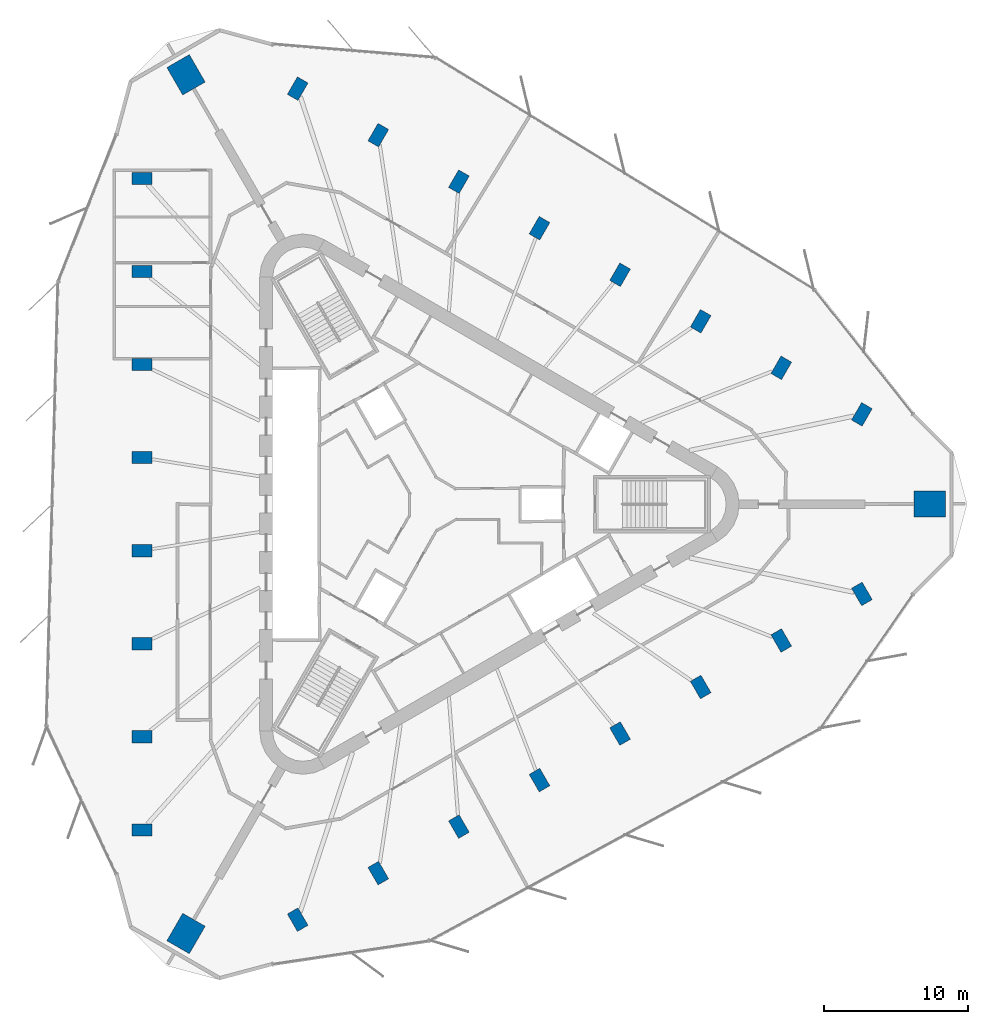
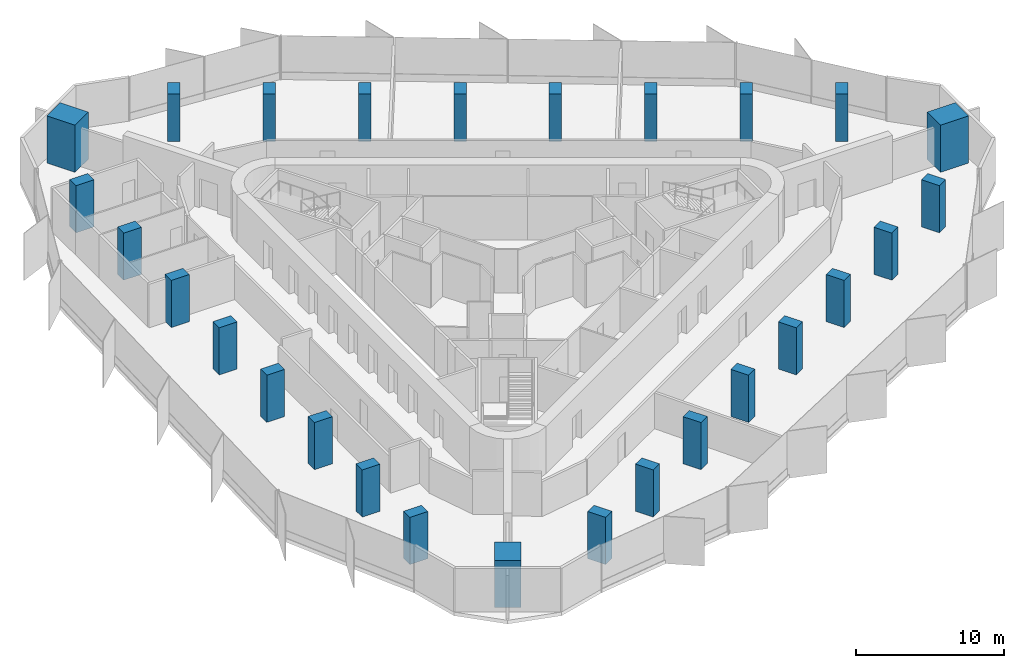
# One storey, part 1 of 13: 27 columns.
"""IFC4 building model written with IfcOpenShell, lengths in metres."""

from ifc_helpers import new_model, si_unit, direction, frame, origin, origin_2d, place, context, subcontext, project, spatial, rectangle, extrude, material, material_profile, profile_set, type_object, element, save


model = new_model("IFC4")

# Units and contexts
model_context = context("Model", 3, precision=1e-05, world=origin(), true_north=direction((0.0, 1.0)))
body_context = subcontext(model_context, "Body", "Model", "MODEL_VIEW")
ifc_project = project(units=[si_unit("LENGTHUNIT", "METRE"), si_unit("AREAUNIT", "SQUARE_METRE"), si_unit("VOLUMEUNIT", "CUBIC_METRE"), si_unit("PLANEANGLEUNIT", "RADIAN"), si_unit("MASSUNIT", "GRAM", prefix="KILO")], contexts=[model_context])

# Site, building, storey
site_placement = place(None, origin())
site = spatial("IfcSite", under=ifc_project, at=site_placement, CompositionType="ELEMENT")
building_placement = place(site_placement, origin())
building = spatial("IfcBuilding", under=site, at=building_placement, Name="Tanit Gate Tower", CompositionType="ELEMENT")
storey_placement = place(building_placement, frame((0.0, 0.0, 329.89990234375)))
storey = spatial("IfcBuildingStorey", under=building, at=storey_placement, Name="L74", CompositionType="ELEMENT", Elevation=329.89990234375)

# Columns
ifc_material_1 = material(Name="Concrete C50/60", Category="concrete")
ifc_material_profile_1 = material_profile(ifc_material_1, rectangle(XDim=2.199951171875, YDim=1.800048828125, at=origin_2d()), Name="RC 2200x1800")
ifc_profile_set_1 = profile_set([ifc_material_profile_1], Name="Concrete C50/60")
column_type_1 = type_object("IfcColumnType", Name="MEGA COLUMN 2200x1800 C50/60", PredefinedType="COLUMN", material=ifc_profile_set_1)
for number, where, z_axis, x_axis, name in (
    (1, (34.43505859375, 0.0, 0.0), (0.0, 0.0, 1.0), (1.0, 0.0, 0.0), "MEGA COLUMN"),
    (2, (-17.217529296875, 29.821533203125, 0.0), (0.0, 0.0, 1.0), (-0.5, 0.866025403784, 0.0), "MEGA COLUMN"),
    (3, (-17.217529296875, -29.821533203125, 0.0), (0.0, 0.0, 1.0), (-0.5, -0.866025403784, 0.0), "MEGA COLUMN"),
):
    element("IfcColumn", number, at=place(storey_placement, frame(where, z_axis=z_axis, x_axis=x_axis)), inside=storey, type_object=column_type_1, Name=name, PredefinedType="COLUMN", context=body_context, shape_type="SweptSolid", body=[
        extrude(rectangle(XDim=2.199951171875, YDim=1.800048828125, at=origin_2d()), origin(), (0.0, 0.0, 1.0), 3.900146484375),
    ])
ifc_material_2 = material(Name="Concrete C40/50", Category="concrete")
ifc_material_profile_2 = material_profile(ifc_material_2, rectangle(XDim=1.39990234375, YDim=0.85009765625, at=origin_2d()), Name="RC 1400x850")
ifc_profile_set_2 = profile_set([ifc_material_profile_2], Name="Concrete C40/50")
column_type_2 = type_object("IfcColumnType", Name="PERIMETER COLUMN 1400x850 C40/50", PredefinedType="COLUMN", material=ifc_profile_set_2)
for number, where, z_axis, x_axis, name in (
    (4, (-20.263671875, 22.62353515625, 0.0), (0.0, 0.0, 1.0), (-1.0, 0.0, 0.0), "PERIMETER COLUMN"),
    (5, (-20.263671875, 16.15966796875, 0.0), (0.0, 0.0, 1.0), (-1.0, 0.0, 0.0), "PERIMETER COLUMN"),
    (6, (-20.263671875, 9.69580078125, 0.0), (0.0, 0.0, 1.0), (-1.0, 0.0, 0.0), "PERIMETER COLUMN"),
    (7, (-20.263671875, 3.23193359375, 0.0), (0.0, 0.0, 1.0), (-1.0, 0.0, 0.0), "PERIMETER COLUMN"),
    (8, (-20.263671875, -3.23193359375, 0.0), (0.0, 0.0, 1.0), (-1.0, 0.0, 0.0), "PERIMETER COLUMN"),
    (9, (-20.263671875, -9.69580078125, 0.0), (0.0, 0.0, 1.0), (-1.0, 0.0, 0.0), "PERIMETER COLUMN"),
    (10, (-20.263671875, -16.15966796875, 0.0), (0.0, 0.0, 1.0), (-1.0, 0.0, 0.0), "PERIMETER COLUMN"),
    (11, (-20.263671875, -22.62353515625, 0.0), (0.0, 0.0, 1.0), (-1.0, 0.0, 0.0), "PERIMETER COLUMN"),
    (12, (29.724609375, 6.237060546875, 0.0), (0.0, 0.0, 1.0), (0.5, 0.866025403784, 0.0), "PERIMETER COLUMN"),
    (13, (24.126708984375, 9.468994140625, 0.0), (0.0, 0.0, 1.0), (0.5, 0.866025403784, 0.0), "PERIMETER COLUMN"),
    (14, (18.52880859375, 12.700927734375, 0.0), (0.0, 0.0, 1.0), (0.5, 0.866025403784, 0.0), "PERIMETER COLUMN"),
    (15, (12.930908203125, 15.932861328125, 0.0), (0.0, 0.0, 1.0), (0.5, 0.866025403784, 0.0), "PERIMETER COLUMN"),
    (16, (7.3330078125, 19.164794921875, 0.0), (0.0, 0.0, 1.0), (0.5, 0.866025403784, 0.0), "PERIMETER COLUMN"),
    (17, (1.735107421875, 22.396728515625, 0.0), (0.0, 0.0, 1.0), (0.5, 0.866025403784, 0.0), "PERIMETER COLUMN"),
    (18, (-3.86279296875, 25.628662109375, 0.0), (0.0, 0.0, 1.0), (0.5, 0.866025403784, 0.0), "PERIMETER COLUMN"),
    (19, (-9.460693359375, 28.860595703125, 0.0), (0.0, 0.0, 1.0), (0.5, 0.866025403784, 0.0), "PERIMETER COLUMN"),
    (20, (-9.460693359375, -28.860595703125, 0.0), (0.0, 0.0, 1.0), (0.5, -0.866025403784, 0.0), "PERIMETER COLUMN"),
    (21, (-3.86279296875, -25.628662109375, 0.0), (0.0, 0.0, 1.0), (0.5, -0.866025403784, 0.0), "PERIMETER COLUMN"),
    (22, (1.735107421875, -22.396728515625, 0.0), (0.0, 0.0, 1.0), (0.5, -0.866025403784, 0.0), "PERIMETER COLUMN"),
    (23, (7.3330078125, -19.164794921875, 0.0), (0.0, 0.0, 1.0), (0.5, -0.866025403784, 0.0), "PERIMETER COLUMN"),
    (24, (12.930908203125, -15.932861328125, 0.0), (0.0, 0.0, 1.0), (0.5, -0.866025403784, 0.0), "PERIMETER COLUMN"),
    (25, (18.52880859375, -12.700927734375, 0.0), (0.0, 0.0, 1.0), (0.5, -0.866025403784, 0.0), "PERIMETER COLUMN"),
    (26, (24.126708984375, -9.468994140625, 0.0), (0.0, 0.0, 1.0), (0.5, -0.866025403784, 0.0), "PERIMETER COLUMN"),
    (27, (29.724609375, -6.237060546875, 0.0), (0.0, 0.0, 1.0), (0.5, -0.866025403784, 0.0), "PERIMETER COLUMN"),
):
    element("IfcColumn", number, at=place(storey_placement, frame(where, z_axis=z_axis, x_axis=x_axis)), inside=storey, type_object=column_type_2, Name=name, PredefinedType="COLUMN", context=body_context, shape_type="SweptSolid", body=[
        extrude(rectangle(XDim=1.39990234375, YDim=0.85009765625, at=origin_2d()), origin(), (0.0, 0.0, 1.0), 3.900146484375),
    ])

save(model, "model.ifc")
